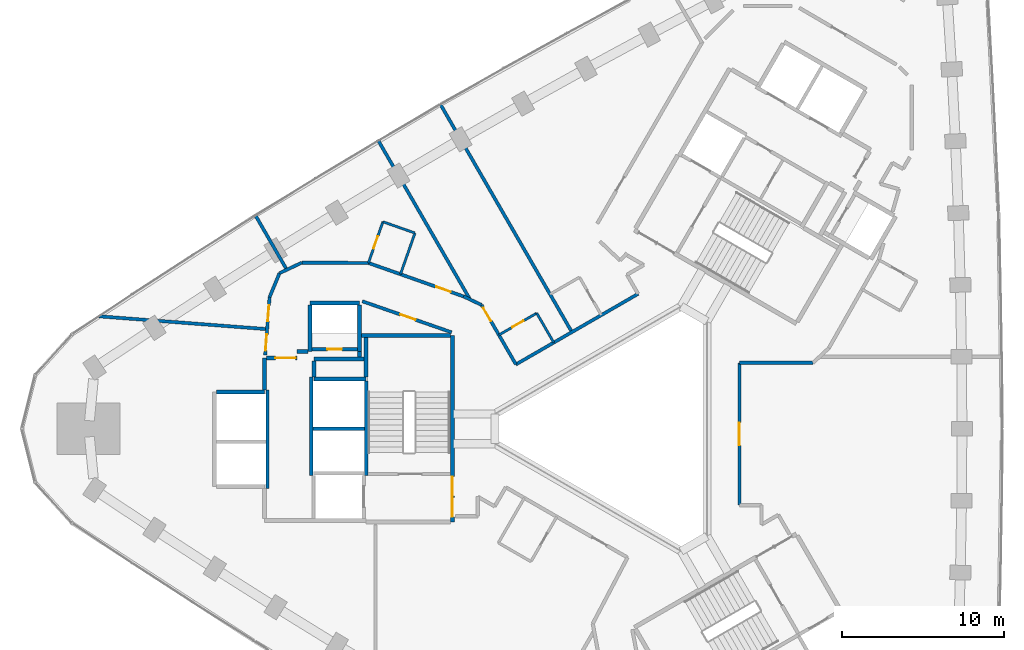
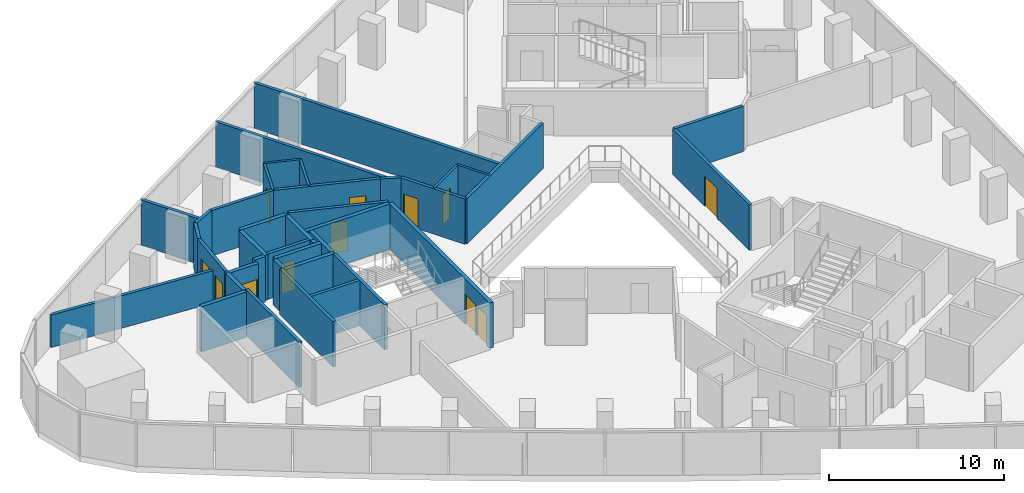
# One storey, part 9 of 12: 39 walls, 12 doors, 12 openings.
"""IFC4 building model written with IfcOpenShell, lengths in metres."""

from ifc_helpers import new_model, si_unit, direction, frame, frame_2d, origin, place, context, subcontext, project, spatial, rectangle, extrude, material, layer, layer_set, type_object, element, fill, save


model = new_model("IFC4")

# Units and contexts
model_context = context("Model", 3, precision=1e-05, world=origin(), true_north=direction((0.0, 1.0)))
body_context = subcontext(model_context, "Body", "Model", "MODEL_VIEW")
ifc_project = project(units=[si_unit("LENGTHUNIT", "METRE"), si_unit("AREAUNIT", "SQUARE_METRE"), si_unit("VOLUMEUNIT", "CUBIC_METRE"), si_unit("PLANEANGLEUNIT", "RADIAN"), si_unit("MASSUNIT", "GRAM", prefix="KILO")], contexts=[model_context])

# Site, building, storey
site_placement = place(None, origin())
site = spatial("IfcSite", under=ifc_project, at=site_placement, CompositionType="ELEMENT")
building_placement = place(site_placement, origin())
building = spatial("IfcBuilding", under=site, at=building_placement, Name="Tamra Quay Hotel Tower", CompositionType="ELEMENT")
storey_placement = place(building_placement, frame((0.0, 0.0, 104.60009765625)))
storey = spatial("IfcBuildingStorey", under=building, at=storey_placement, Name="L25", CompositionType="ELEMENT", Elevation=104.60009765625)

# Walls
ifc_material_1 = material(Name="Concrete M70", Category="concrete")
ifc_layer_1 = layer(ifc_material_1, 0.199951171875)
ifc_layer_set_1 = layer_set([ifc_layer_1], Name="Concrete M70 core wall 200")
wall_type_1 = type_object("IfcWallType", Name="Concrete M70 core wall 200", PredefinedType="SHEAR", material=ifc_layer_set_1)
wall_1_placement = place(storey_placement, frame((-16.162109375, 2.95068359375, 0.0), z_axis=(0.0, 0.0, 1.0), x_axis=(0.0, -1.0, 0.0)))
element("IfcWall", 1, at=wall_1_placement, inside=storey, type_object=wall_type_1, Name="CW2", PredefinedType="SHEAR", context=body_context, shape_type="SweptSolid", body=[
    extrude(rectangle(XDim=5.850830078125, YDim=0.199951171875, at=frame_2d((2.92529296875, 0.0))), origin(), (0.0, 0.0, 1.0), 3.1748046875),
])
for number, where, z_axis, x_axis, name in (
    (2, (-19.5625, -2.900146484375, 0.0), (0.0, 0.0, 1.0), (0.0, 1.0, 0.0), "CW2"),
    (3, (-22.26220703125, 2.400146484375, 0.0), (0.0, 0.0, 1.0), (0.0, -1.0, 0.0), "CW2"),
):
    element("IfcWall", number, at=place(storey_placement, frame(where, z_axis=z_axis, x_axis=x_axis)), inside=storey, type_object=wall_type_1, Name=name, PredefinedType="SHEAR", context=body_context, shape_type="SweptSolid", body=[
        extrude(rectangle(XDim=6.100341796875, YDim=0.199951171875, at=frame_2d((3.05029296875, 0.0))), origin(), (0.0, 0.0, 1.0), 3.1748046875),
    ])
wall_2_placement = place(storey_placement, frame((-16.26318359375, 0.0, 0.0), z_axis=(0.0, 0.0, 1.0), x_axis=(-1.0, 0.0, 0.0)))
element("IfcWall", 4, at=wall_2_placement, inside=storey, type_object=wall_type_1, Name="CW2", PredefinedType="SHEAR", context=body_context, shape_type="SweptSolid", body=[
    extrude(rectangle(XDim=3.1982421875, YDim=0.199951171875, at=frame_2d((1.59912109375, 0.0))), origin(), (0.0, 0.0, 1.0), 3.1748046875),
])

# Wall, opening, door
wall_3_placement = place(storey_placement, frame((-19.51123046875, 4.91015625, 0.0), z_axis=(0.0, 0.0, 1.0), x_axis=(1.0, 0.0, 0.0)))
wall_3 = element("IfcWall", 5, at=wall_3_placement, inside=storey, type_object=wall_type_1, Name="CW2", PredefinedType="SHEAR", context=body_context, shape_type="SweptSolid", body=[
    extrude(rectangle(XDim=2.7978515625, YDim=0.199951171875, at=frame_2d((1.39892578125, 0.0))), origin(), (0.0, 0.0, 1.0), 3.1748046875),
])
opening_1_placement = place(wall_3_placement, frame((0.948974609375, 0.0, 0.0)))
opening_1 = element("IfcOpeningElement", 6, at=opening_1_placement, cuts=wall_3, Name="Opening D1", PredefinedType="OPENING", context=body_context, shape_type="SweptSolid", body=[
    extrude(rectangle(XDim=0.89990234375, YDim=2.10009765625, at=frame_2d((0.449951171875, 1.050048828125))), frame((0.0, 0.10986328125, 0.0), z_axis=(0.0, -1.0, 0.0), x_axis=(1.0, 0.0, 0.0)), (0.0, 0.0, 1.0), 0.219970703125),
])
ifc_material_2 = material(Name="Core door D1 900x2100 LH")
door_type_1 = type_object("IfcDoorType", Name="Core door D1 900x2100 LH", OperationType="NOTDEFINED", PredefinedType="DOOR", material=ifc_material_2)
door_1_placement = place(opening_1_placement, origin())
door_1 = element("IfcDoor", 7, at=door_1_placement, inside=storey, type_object=door_type_1, Name="D1", OperationType="SINGLE_SWING_LEFT", OverallHeight=2.10009765625, OverallWidth=0.89990234375, PredefinedType="DOOR", context=body_context, shape_type="SweptSolid", body=[
    extrude(rectangle(XDim=0.89990234375, YDim=2.10009765625, at=frame_2d((0.449951171875, 1.050048828125))), frame((0.0, 0.02490234375, 0.0), z_axis=(0.0, -1.0, 0.0), x_axis=(1.0, 0.0, 0.0)), (0.0, 0.0, 1.0), 0.050048828125),
])
fill(opening_1, door_1)

# Wall, openings, doors
ifc_layer_2 = layer(ifc_material_1, 0.25)
ifc_layer_set_2 = layer_set([ifc_layer_2], Name="Concrete M70 core wall 250")
wall_type_2 = type_object("IfcWallType", Name="Concrete M70 core wall 250", PredefinedType="SHEAR", material=ifc_layer_set_2)
wall_4_placement = place(storey_placement, frame((-10.83740234375, 5.77490234375, 0.0), z_axis=(0.0, 0.0, 1.0), x_axis=(0.0, -1.0, 0.0)))
wall_4 = element("IfcWall", 8, at=wall_4_placement, inside=storey, type_object=wall_type_2, Name="CW1", PredefinedType="SHEAR", context=body_context, shape_type="SweptSolid", body=[
    extrude(rectangle(XDim=11.5498046875, YDim=0.25, at=frame_2d((5.77490234375, 0.0))), origin(), (0.0, 0.0, 1.0), 3.1748046875),
])
opening_2_placement = place(wall_4_placement, frame((10.02490234375, 0.0, 0.0)))
opening_2 = element("IfcOpeningElement", 9, at=opening_2_placement, cuts=wall_4, Name="Opening FD1", PredefinedType="OPENING", context=body_context, shape_type="SweptSolid", body=[
    extrude(rectangle(XDim=1.199951171875, YDim=2.10009765625, at=frame_2d((0.60009765625, 1.050048828125))), frame((0.0, 0.135009765625, 0.0), z_axis=(0.0, -1.0, 0.0), x_axis=(1.0, 0.0, 0.0)), (0.0, 0.0, 1.0), 0.27001953125),
])
opening_3_placement = place(wall_4_placement, frame((8.72509765625, 0.0, 0.0)))
opening_3 = element("IfcOpeningElement", 10, at=opening_3_placement, cuts=wall_4, Name="Opening FD1", PredefinedType="OPENING", context=body_context, shape_type="SweptSolid", body=[
    extrude(rectangle(XDim=1.199951171875, YDim=2.10009765625, at=frame_2d((0.60009765625, 1.050048828125))), frame((0.0, 0.135009765625, 0.0), z_axis=(0.0, -1.0, 0.0), x_axis=(1.0, 0.0, 0.0)), (0.0, 0.0, 1.0), 0.27001953125),
])
ifc_material_3 = material(Name="Core door FD1 1200x2100 LH")
door_type_2 = type_object("IfcDoorType", Name="Core door FD1 1200x2100 LH", OperationType="NOTDEFINED", PredefinedType="DOOR", material=ifc_material_3)
door_2_placement = place(opening_2_placement, origin())
door_2 = element("IfcDoor", 11, at=door_2_placement, inside=storey, type_object=door_type_2, Name="FD1", OperationType="SINGLE_SWING_LEFT", OverallHeight=2.10009765625, OverallWidth=1.199951171875, PredefinedType="DOOR", context=body_context, shape_type="SweptSolid", body=[
    extrude(rectangle(XDim=1.199951171875, YDim=2.10009765625, at=frame_2d((0.60009765625, 1.050048828125))), frame((0.0, 0.02490234375, 0.0), z_axis=(0.0, -1.0, 0.0), x_axis=(1.0, 0.0, 0.0)), (0.0, 0.0, 1.0), 0.050048828125),
])
fill(opening_2, door_2)
ifc_material_4 = material(Name="Core door FD1 1200x2100 RH")
door_type_3 = type_object("IfcDoorType", Name="Core door FD1 1200x2100 RH", OperationType="NOTDEFINED", PredefinedType="DOOR", material=ifc_material_4)
door_3_placement = place(opening_3_placement, origin())
door_3 = element("IfcDoor", 12, at=door_3_placement, inside=storey, type_object=door_type_3, Name="FD1", OperationType="SINGLE_SWING_RIGHT", OverallHeight=2.10009765625, OverallWidth=1.199951171875, PredefinedType="DOOR", context=body_context, shape_type="SweptSolid", body=[
    extrude(rectangle(XDim=1.199951171875, YDim=2.10009765625, at=frame_2d((0.60009765625, 1.050048828125))), frame((0.0, 0.02490234375, 0.0), z_axis=(0.0, -1.0, 0.0), x_axis=(1.0, 0.0, 0.0)), (0.0, 0.0, 1.0), 0.050048828125),
])
fill(opening_3, door_3)

# Walls
wall_5_placement = place(storey_placement, frame((-16.47216796875, 5.77490234375, 0.0), z_axis=(0.0, 0.0, 1.0), x_axis=(1.0, 0.0, 0.0)))
element("IfcWall", 13, at=wall_5_placement, inside=storey, type_object=wall_type_2, Name="CW1", PredefinedType="SHEAR", context=body_context, shape_type="SweptSolid", body=[
    extrude(rectangle(XDim=5.509521484375, YDim=0.25, at=frame_2d((2.7548828125, 0.0))), origin(), (0.0, 0.0, 1.0), 3.1748046875),
])
wall_6_placement = place(storey_placement, frame((-19.38720703125, 3.074951171875, 0.0), z_axis=(0.0, 0.0, 1.0), x_axis=(1.0, 0.0, 0.0)))
element("IfcWall", 14, at=wall_6_placement, inside=storey, type_object=wall_type_2, Name="CW1", PredefinedType="SHEAR", context=body_context, shape_type="SweptSolid", body=[
    extrude(rectangle(XDim=3.199951171875, YDim=0.25, at=frame_2d((1.60009765625, 0.0))), origin(), (0.0, 0.0, 1.0), 3.1748046875),
])
wall_7_placement = place(storey_placement, frame((-25.411865234375, 2.27490234375, 0.0), z_axis=(0.0, 0.0, 1.0), x_axis=(1.0, 0.0, 0.0)))
element("IfcWall", 15, at=wall_7_placement, inside=storey, type_object=wall_type_2, Name="CW1", PredefinedType="SHEAR", context=body_context, shape_type="SweptSolid", body=[
    extrude(rectangle(XDim=2.974609375, YDim=0.25, at=frame_2d((1.4873046875, 0.0))), origin(), (0.0, 0.0, 1.0), 3.1748046875),
])
wall_8_placement = place(storey_placement, frame((-19.63720703125, 7.77490234375, 0.0), z_axis=(0.0, 0.0, 1.0), x_axis=(1.0, 0.0, 0.0)))
element("IfcWall", 16, at=wall_8_placement, inside=storey, type_object=wall_type_2, Name="CW1", PredefinedType="SHEAR", context=body_context, shape_type="SweptSolid", body=[
    extrude(rectangle(XDim=3.0498046875, YDim=0.25, at=frame_2d((1.52490234375, 0.0))), origin(), (0.0, 0.0, 1.0), 3.1748046875),
])
for number, where, z_axis, x_axis, name in (
    (17, (-16.58740234375, 7.649658203125, 0.0), (0.0, 0.0, 1.0), (0.0, -1.0, 0.0), "CW1"),
    (18, (-19.63720703125, 4.784912109375, 0.0), (0.0, 0.0, 1.0), (0.0, 1.0, 0.0), "CW1"),
):
    element("IfcWall", number, at=place(storey_placement, frame(where, z_axis=z_axis, x_axis=x_axis)), inside=storey, type_object=wall_type_2, Name=name, PredefinedType="SHEAR", context=body_context, shape_type="SweptSolid", body=[
        extrude(rectangle(XDim=2.86474609375, YDim=0.25, at=frame_2d((1.432373046875, 0.0))), origin(), (0.0, 0.0, 1.0), 3.1748046875),
    ])
wall_9_placement = place(storey_placement, frame((-16.30224609375, 4.31494140625, 0.0), z_axis=(0.0, 0.0, 1.0), x_axis=(-1.0, 0.0, 0.0)))
element("IfcWall", 19, at=wall_9_placement, inside=storey, type_object=wall_type_2, Name="CW1", PredefinedType="SHEAR", context=body_context, shape_type="SweptSolid", body=[
    extrude(rectangle(XDim=3.0849609375, YDim=0.25, at=frame_2d((1.54248046875, 0.0))), origin(), (0.0, 0.0, 1.0), 3.1748046875),
])
wall_10_placement = place(storey_placement, frame((-16.187255859375, 3.200439453125, 0.0), z_axis=(0.0, 0.0, 1.0), x_axis=(0.0, 1.0, 0.0)))
element("IfcWall", 20, at=wall_10_placement, inside=storey, type_object=wall_type_2, Name="CW1", PredefinedType="SHEAR", context=body_context, shape_type="SweptSolid", body=[
    extrude(rectangle(XDim=2.44921875, YDim=0.25, at=frame_2d((1.224609375, 0.0))), origin(), (0.0, 0.0, 1.0), 3.1748046875),
])
wall_11_placement = place(storey_placement, frame((-22.437255859375, 2.400390625, 0.0), z_axis=(0.0, 0.0, 1.0), x_axis=(0.0, 1.0, 0.0)))
element("IfcWall", 21, at=wall_11_placement, inside=storey, type_object=wall_type_2, Name="CW1", PredefinedType="SHEAR", context=body_context, shape_type="SweptSolid", body=[
    extrude(rectangle(XDim=1.974609375, YDim=0.25, at=frame_2d((0.9873046875, 0.0))), origin(), (0.0, 0.0, 1.0), 3.1748046875),
])

# Wall, opening, door
wall_12_placement = place(storey_placement, frame((-22.311767578125, 4.375, 0.0), z_axis=(0.0, 0.0, 1.0), x_axis=(1.0, 0.0, 0.0)))
wall_12 = element("IfcWall", 22, at=wall_12_placement, inside=storey, type_object=wall_type_2, Name="CW1", PredefinedType="SHEAR", context=body_context, shape_type="SweptSolid", body=[
    extrude(rectangle(XDim=1.864501953125, YDim=0.25, at=frame_2d((0.93212890625, 0.0))), origin(), (0.0, 0.0, 1.0), 3.1748046875),
])
opening_4_placement = place(wall_12_placement, frame((0.53466796875, 0.0, 0.0)))
opening_4 = element("IfcOpeningElement", 23, at=opening_4_placement, cuts=wall_12, Name="Opening FD3", PredefinedType="OPENING", context=body_context, shape_type="SweptSolid", body=[
    extrude(rectangle(XDim=1.25, YDim=2.10009765625, at=frame_2d((0.625, 1.050048828125))), frame((0.0, 0.135009765625, 0.0), z_axis=(0.0, -1.0, 0.0), x_axis=(1.0, 0.0, 0.0)), (0.0, 0.0, 1.0), 0.27001953125),
])
ifc_material_5 = material(Name="Core door FD3 1250x2100 LH")
door_type_4 = type_object("IfcDoorType", Name="Core door FD3 1250x2100 LH", OperationType="NOTDEFINED", PredefinedType="DOOR", material=ifc_material_5)
door_4_placement = place(opening_4_placement, origin())
door_4 = element("IfcDoor", 24, at=door_4_placement, inside=storey, type_object=door_type_4, Name="FD3", OperationType="SINGLE_SWING_LEFT", OverallHeight=2.10009765625, OverallWidth=1.25, PredefinedType="DOOR", context=body_context, shape_type="SweptSolid", body=[
    extrude(rectangle(XDim=1.25, YDim=2.10009765625, at=frame_2d((0.625, 1.050048828125))), frame((0.0, 0.02490234375, 0.0), z_axis=(0.0, -1.0, 0.0), x_axis=(1.0, 0.0, 0.0)), (0.0, 0.0, 1.0), 0.050048828125),
])
fill(opening_4, door_4)

# Walls
wall_13_placement = place(storey_placement, frame((-19.38720703125, 4.189697265625, 0.0), z_axis=(0.0, 0.0, 1.0), x_axis=(0.0, -1.0, 0.0)))
element("IfcWall", 25, at=wall_13_placement, inside=storey, type_object=wall_type_2, Name="CW1", PredefinedType="SHEAR", context=body_context, shape_type="SweptSolid", body=[
    extrude(rectangle(XDim=0.9892578125, YDim=0.25, at=frame_2d((0.49462890625, 0.0))), origin(), (0.0, 0.0, 1.0), 3.1748046875),
])
wall_14_placement = place(storey_placement, frame((-20.447265625, 4.784912109375, 0.0), z_axis=(0.0, 0.0, 1.0), x_axis=(1.0, 0.0, 0.0)))
element("IfcWall", 26, at=wall_14_placement, inside=storey, type_object=wall_type_2, Name="CW1", PredefinedType="SHEAR", context=body_context, shape_type="SweptSolid", body=[
    extrude(rectangle(XDim=0.6845703125, YDim=0.25, at=frame_2d((0.34228515625, 0.0))), origin(), (0.0, 0.0, 1.0), 3.1748046875),
])
wall_15_placement = place(storey_placement, frame((-16.577392578125, 4.784912109375, 0.0), z_axis=(0.0, 0.0, 1.0), x_axis=(0.0, -1.0, 0.0)))
element("IfcWall", 27, at=wall_15_placement, inside=storey, type_object=wall_type_2, Name="CW1", PredefinedType="SHEAR", context=body_context, shape_type="SweptSolid", body=[
    extrude(rectangle(XDim=0.344482421875, YDim=0.25, at=frame_2d((0.17236328125, 0.0))), origin(), (0.0, 0.0, 1.0), 3.1748046875),
])

# Wall, openings, doors
ifc_material_6 = material(Name="Partition corridor wall")
ifc_layer_3 = layer(ifc_material_6, 0.199951171875)
ifc_layer_set_3 = layer_set([ifc_layer_3], Name="Partition corridor wall")
wall_type_3 = type_object("IfcWallType", Name="Partition corridor wall", PredefinedType="PARTITIONING", material=ifc_layer_set_3)
wall_16_placement = place(storey_placement, frame((-22.407470703125, 4.56005859375, 0.0), z_axis=(0.0, 0.0, 1.0), x_axis=(0.075961252686, 0.997110770221, 0.0)))
wall_16 = element("IfcWall", 28, at=wall_16_placement, inside=storey, type_object=wall_type_3, Name="W-C", PredefinedType="PARTITIONING", context=body_context, shape_type="SweptSolid", body=[
    extrude(rectangle(XDim=3.580322265625, YDim=0.199951171875, at=frame_2d((1.7900390625, 0.0))), origin(), (0.0, 0.0, 1.0), 3.1748046875),
])
opening_5_placement = place(wall_16_placement, frame((0.276123046875, 0.0, 0.0)))
opening_5 = element("IfcOpeningElement", 29, at=opening_5_placement, cuts=wall_16, Name="Opening L25-D011", PredefinedType="OPENING", context=body_context, shape_type="SweptSolid", body=[
    extrude(rectangle(XDim=1.0, YDim=2.10009765625, at=frame_2d((0.5, 1.050048828125))), frame((0.0, 0.10986328125, 0.0), z_axis=(0.0, -1.0, 0.0), x_axis=(1.0, 0.0, 0.0)), (0.0, 0.0, 1.0), 0.219970703125),
])
opening_6_placement = place(wall_16_placement, frame((2.08447265625, 0.0, 0.0)))
opening_6 = element("IfcOpeningElement", 30, at=opening_6_placement, cuts=wall_16, Name="Opening L25-D012", PredefinedType="OPENING", context=body_context, shape_type="SweptSolid", body=[
    extrude(rectangle(XDim=1.0, YDim=2.10009765625, at=frame_2d((0.5, 1.050048828125))), frame((0.0, 0.10986328125, 0.0), z_axis=(0.0, -1.0, 0.0), x_axis=(1.0, 0.0, 0.0)), (0.0, 0.0, 1.0), 0.219970703125),
])
ifc_material_7 = material(Name="Door guest room 1000x2100")
door_type_5 = type_object("IfcDoorType", Name="Door guest room 1000x2100", OperationType="NOTDEFINED", PredefinedType="DOOR", material=ifc_material_7)
door_5_placement = place(opening_5_placement, origin())
door_5 = element("IfcDoor", 31, at=door_5_placement, inside=storey, type_object=door_type_5, Name="L25-D011", OperationType="SINGLE_SWING_LEFT", OverallHeight=2.10009765625, OverallWidth=1.0, PredefinedType="DOOR", context=body_context, shape_type="SweptSolid", body=[
    extrude(rectangle(XDim=1.0, YDim=2.10009765625, at=frame_2d((0.5, 1.050048828125))), frame((0.0, 0.02490234375, 0.0), z_axis=(0.0, -1.0, 0.0), x_axis=(1.0, 0.0, 0.0)), (0.0, 0.0, 1.0), 0.050048828125),
])
fill(opening_5, door_5)
door_6_placement = place(opening_6_placement, origin())
door_6 = element("IfcDoor", 32, at=door_6_placement, inside=storey, type_object=door_type_5, Name="L25-D012", OperationType="SINGLE_SWING_LEFT", OverallHeight=2.10009765625, OverallWidth=1.0, PredefinedType="DOOR", context=body_context, shape_type="SweptSolid", body=[
    extrude(rectangle(XDim=1.0, YDim=2.10009765625, at=frame_2d((0.5, 1.050048828125))), frame((0.0, 0.02490234375, 0.0), z_axis=(0.0, -1.0, 0.0), x_axis=(1.0, 0.0, 0.0)), (0.0, 0.0, 1.0), 0.050048828125),
])
fill(opening_6, door_6)

# Walls
wall_17_placement = place(storey_placement, frame((-22.135009765625, 8.134033203125, 0.0), z_axis=(0.0, 0.0, 1.0), x_axis=(0.383208453534, 0.923661886807, 0.0)))
element("IfcWall", 33, at=wall_17_placement, inside=storey, type_object=wall_type_3, Name="W-C", PredefinedType="PARTITIONING", context=body_context, shape_type="SweptSolid", body=[
    extrude(rectangle(XDim=1.602294921875, YDim=0.199951171875, at=frame_2d((0.80126953125, 0.0))), origin(), (0.0, 0.0, 1.0), 3.1748046875),
])
wall_18_placement = place(storey_placement, frame((-21.521240234375, 9.614501953125, 0.0), z_axis=(0.0, 0.0, 1.0), x_axis=(0.904236611454, 0.427031790979, 0.0)))
element("IfcWall", 34, at=wall_18_placement, inside=storey, type_object=wall_type_3, Name="W-C", PredefinedType="PARTITIONING", context=body_context, shape_type="SweptSolid", body=[
    extrude(rectangle(XDim=1.52294921875, YDim=0.199951171875, at=frame_2d((0.761474609375, 0.0))), origin(), (0.0, 0.0, 1.0), 3.1748046875),
])
wall_19_placement = place(storey_placement, frame((-20.14306640625, 10.26611328125, 0.0), z_axis=(0.0, 0.0, 1.0), x_axis=(0.999989297417, -0.004626559416, 0.0)))
element("IfcWall", 35, at=wall_19_placement, inside=storey, type_object=wall_type_3, Name="W-C", PredefinedType="PARTITIONING", context=body_context, shape_type="SweptSolid", body=[
    extrude(rectangle(XDim=4.115966796875, YDim=0.199951171875, at=frame_2d((2.05810546875, 0.0))), origin(), (0.0, 0.0, 1.0), 3.1748046875),
])

# Wall, opening, door
wall_20_placement = place(storey_placement, frame((-16.40234375, 7.879150390625, 0.0), z_axis=(0.0, 0.0, 1.0), x_axis=(0.94449961557, -0.328512520596, 0.0)))
wall_20 = element("IfcWall", 36, at=wall_20_placement, inside=storey, type_object=wall_type_3, Name="W-C", PredefinedType="PARTITIONING", context=body_context, shape_type="SweptSolid", body=[
    extrude(rectangle(XDim=5.842041015625, YDim=0.199951171875, at=frame_2d((2.9208984375, 0.0))), origin(), (0.0, 0.0, 1.0), 3.1748046875),
])
opening_7_placement = place(wall_20_placement, frame((2.47900390625, 0.0, 0.0)))
opening_7 = element("IfcOpeningElement", 37, at=opening_7_placement, cuts=wall_20, Name="Opening L25-D008", PredefinedType="OPENING", context=body_context, shape_type="SweptSolid", body=[
    extrude(rectangle(XDim=1.0, YDim=2.10009765625, at=frame_2d((0.5, 1.050048828125))), frame((0.0, 0.10986328125, 0.0), z_axis=(0.0, -1.0, 0.0), x_axis=(1.0, 0.0, 0.0)), (0.0, 0.0, 1.0), 0.219970703125),
])
door_7_placement = place(opening_7_placement, frame((1.0, 0.0, 0.0), z_axis=(0.0, 0.0, 1.0), x_axis=(-1.0, 0.0, 0.0)))
door_7 = element("IfcDoor", 38, at=door_7_placement, inside=storey, type_object=door_type_5, Name="L25-D008", OperationType="SINGLE_SWING_LEFT", OverallHeight=2.10009765625, OverallWidth=1.0, PredefinedType="DOOR", context=body_context, shape_type="SweptSolid", body=[
    extrude(rectangle(XDim=1.0, YDim=2.10009765625, at=frame_2d((0.5, 1.050048828125))), frame((0.0, 0.02490234375, 0.0), z_axis=(0.0, -1.0, 0.0), x_axis=(1.0, 0.0, 0.0)), (0.0, 0.0, 1.0), 0.050048828125),
])
fill(opening_7, door_7)

wall_21_placement = place(storey_placement, frame((-16.02587890625, 10.247314453125, 0.0), z_axis=(0.0, 0.0, 1.0), x_axis=(0.94329059922, -0.331968139168, 0.0)))
wall_21 = element("IfcWall", 39, at=wall_21_placement, inside=storey, type_object=wall_type_3, Name="W-C", PredefinedType="PARTITIONING", context=body_context, shape_type="SweptSolid", body=[
    extrude(rectangle(XDim=6.236572265625, YDim=0.199951171875, at=frame_2d((3.1181640625, 0.0))), origin(), (0.0, 0.0, 1.0), 3.1748046875),
])
opening_8_placement = place(wall_21_placement, frame((4.438232421875, 0.0, 0.0)))
opening_8 = element("IfcOpeningElement", 40, at=opening_8_placement, cuts=wall_21, Name="Opening L25-D009", PredefinedType="OPENING", context=body_context, shape_type="SweptSolid", body=[
    extrude(rectangle(XDim=0.949951171875, YDim=2.10009765625, at=frame_2d((0.47509765625, 1.050048828125))), frame((0.0, 0.10986328125, 0.0), z_axis=(0.0, -1.0, 0.0), x_axis=(1.0, 0.0, 0.0)), (0.0, 0.0, 1.0), 0.219970703125),
])
ifc_material_8 = material(Name="Door guest room 950x2100")
door_type_6 = type_object("IfcDoorType", Name="Door guest room 950x2100", OperationType="NOTDEFINED", PredefinedType="DOOR", material=ifc_material_8)
door_8_placement = place(opening_8_placement, origin())
door_8 = element("IfcDoor", 41, at=door_8_placement, inside=storey, type_object=door_type_6, Name="L25-D009", OperationType="SINGLE_SWING_LEFT", OverallHeight=2.10009765625, OverallWidth=0.949951171875, PredefinedType="DOOR", context=body_context, shape_type="SweptSolid", body=[
    extrude(rectangle(XDim=0.949951171875, YDim=2.10009765625, at=frame_2d((0.47509765625, 1.050048828125))), frame((0.0, 0.02490234375, 0.0), z_axis=(0.0, -1.0, 0.0), x_axis=(1.0, 0.0, 0.0)), (0.0, 0.0, 1.0), 0.050048828125),
])
fill(opening_8, door_8)

# Wall
wall_22_placement = place(storey_placement, frame((-10.14306640625, 8.1767578125, 0.0), z_axis=(0.0, 0.0, 1.0), x_axis=(0.904109978004, -0.427299833458, 0.0)))
element("IfcWall", 42, at=wall_22_placement, inside=storey, type_object=wall_type_3, Name="W-C", PredefinedType="PARTITIONING", context=body_context, shape_type="SweptSolid", body=[
    extrude(rectangle(XDim=1.227783203125, YDim=0.199951171875, at=frame_2d((0.61376953125, 0.0))), origin(), (0.0, 0.0, 1.0), 3.1748046875),
])

# Wall, opening, door
wall_23_placement = place(storey_placement, frame((-9.032958984375, 7.652099609375, 0.0), z_axis=(0.0, 0.0, 1.0), x_axis=(0.500228714158, -0.865893315329, 0.0)))
wall_23 = element("IfcWall", 43, at=wall_23_placement, inside=storey, type_object=wall_type_3, Name="W-C", PredefinedType="PARTITIONING", context=body_context, shape_type="SweptSolid", body=[
    extrude(rectangle(XDim=4.24365234375, YDim=0.199951171875, at=frame_2d((2.121826171875, 0.0))), origin(), (0.0, 0.0, 1.0), 3.1748046875),
])
opening_9_placement = place(wall_23_placement, frame((0.199951171875, 0.0, 0.0)))
opening_9 = element("IfcOpeningElement", 44, at=opening_9_placement, cuts=wall_23, Name="Opening L25-D006", PredefinedType="OPENING", context=body_context, shape_type="SweptSolid", body=[
    extrude(rectangle(XDim=0.949951171875, YDim=2.10009765625, at=frame_2d((0.47509765625, 1.050048828125))), frame((0.0, 0.10986328125, 0.0), z_axis=(0.0, -1.0, 0.0), x_axis=(1.0, 0.0, 0.0)), (0.0, 0.0, 1.0), 0.219970703125),
])
door_9_placement = place(opening_9_placement, origin())
door_9 = element("IfcDoor", 45, at=door_9_placement, inside=storey, type_object=door_type_6, Name="L25-D006", OperationType="SINGLE_SWING_LEFT", OverallHeight=2.10009765625, OverallWidth=0.949951171875, PredefinedType="DOOR", context=body_context, shape_type="SweptSolid", body=[
    extrude(rectangle(XDim=0.949951171875, YDim=2.10009765625, at=frame_2d((0.47509765625, 1.050048828125))), frame((0.0, 0.02490234375, 0.0), z_axis=(0.0, -1.0, 0.0), x_axis=(1.0, 0.0, 0.0)), (0.0, 0.0, 1.0), 0.050048828125),
])
fill(opening_9, door_9)

# Wall
wall_24_placement = place(storey_placement, frame((-6.91015625, 3.975341796875, 0.0), z_axis=(0.0, 0.0, 1.0), x_axis=(0.86591925187, 0.500183815454, 0.0)))
element("IfcWall", 46, at=wall_24_placement, inside=storey, type_object=wall_type_3, Name="W-C", PredefinedType="PARTITIONING", context=body_context, shape_type="SweptSolid", body=[
    extrude(rectangle(XDim=8.718017578125, YDim=0.199951171875, at=frame_2d((4.35888671875, 0.0))), origin(), (0.0, 0.0, 1.0), 3.1748046875),
])

# Wall, opening, door
wall_25_placement = place(storey_placement, frame((6.89990234375, -4.720947265625, 0.0), z_axis=(0.0, 0.0, 1.0), x_axis=(0.0, 1.0, 0.0)))
wall_25 = element("IfcWall", 47, at=wall_25_placement, inside=storey, type_object=wall_type_3, Name="W-C", PredefinedType="PARTITIONING", context=body_context, shape_type="SweptSolid", body=[
    extrude(rectangle(XDim=8.798828125, YDim=0.199951171875, at=frame_2d((4.3994140625, 0.0))), origin(), (0.0, 0.0, 1.0), 3.1748046875),
])
opening_10_placement = place(wall_25_placement, frame((3.699462890625, 0.0, 0.0)))
opening_10 = element("IfcOpeningElement", 48, at=opening_10_placement, cuts=wall_25, Name="Opening L25-D001", PredefinedType="OPENING", context=body_context, shape_type="SweptSolid", body=[
    extrude(rectangle(XDim=1.39990234375, YDim=2.10009765625, at=frame_2d((0.699951171875, 1.050048828125))), frame((0.0, 0.10986328125, 0.0), z_axis=(0.0, -1.0, 0.0), x_axis=(1.0, 0.0, 0.0)), (0.0, 0.0, 1.0), 0.219970703125),
])
ifc_material_9 = material(Name="Door double leaf 1400x2100")
door_type_7 = type_object("IfcDoorType", Name="Door double leaf 1400x2100", OperationType="DOUBLE_DOOR_SINGLE_SWING", PredefinedType="DOOR", material=ifc_material_9)
door_10_placement = place(opening_10_placement, frame((1.39990234375, 0.0, 0.0), z_axis=(0.0, 0.0, 1.0), x_axis=(-1.0, 0.0, 0.0)))
door_10 = element("IfcDoor", 49, at=door_10_placement, inside=storey, type_object=door_type_7, Name="L25-D001", OperationType="DOUBLE_DOOR_SINGLE_SWING", OverallHeight=2.10009765625, OverallWidth=1.39990234375, PredefinedType="DOOR", context=body_context, shape_type="SweptSolid", body=[
    extrude(rectangle(XDim=1.39990234375, YDim=2.10009765625, at=frame_2d((0.699951171875, 1.050048828125))), frame((0.0, 0.02490234375, 0.0), z_axis=(0.0, -1.0, 0.0), x_axis=(1.0, 0.0, 0.0)), (0.0, 0.0, 1.0), 0.050048828125),
])
fill(opening_10, door_10)

# Wall
wall_26_placement = place(storey_placement, frame((6.89990234375, 4.077880859375, 0.0), z_axis=(0.0, 0.0, 1.0), x_axis=(1.0, 0.0, 0.0)))
element("IfcWall", 50, at=wall_26_placement, inside=storey, type_object=wall_type_3, Name="W-C", PredefinedType="PARTITIONING", context=body_context, shape_type="SweptSolid", body=[
    extrude(rectangle(XDim=4.55810546875, YDim=0.199951171875, at=frame_2d((2.279052734375, 0.0))), origin(), (0.0, 0.0, 1.0), 3.1748046875),
])

# Wall, opening, door
ifc_material_10 = material(Name="Partition en-suite wall")
ifc_layer_4 = layer(ifc_material_10, 0.14990234375)
ifc_layer_set_4 = layer_set([ifc_layer_4], Name="Partition en-suite wall")
wall_type_4 = type_object("IfcWallType", Name="Partition en-suite wall", PredefinedType="PARTITIONING", material=ifc_layer_set_4)
wall_27_placement = place(storey_placement, frame((-16.02587890625, 10.2470703125, 0.0), z_axis=(0.0, 0.0, 1.0), x_axis=(0.331801780804, 0.943349128507, 0.0)))
wall_27 = element("IfcWall", 51, at=wall_27_placement, inside=storey, type_object=wall_type_4, Name="W-E", PredefinedType="PARTITIONING", context=body_context, shape_type="SweptSolid", body=[
    extrude(rectangle(XDim=2.69677734375, YDim=0.14990234375, at=frame_2d((1.348388671875, 0.0))), origin(), (0.0, 0.0, 1.0), 3.1748046875),
])
opening_11_placement = place(wall_27_placement, frame((0.94921875, 0.0, 0.0)))
opening_11 = element("IfcOpeningElement", 52, at=opening_11_placement, cuts=wall_27, Name="Opening L25-D010", PredefinedType="OPENING", context=body_context, shape_type="SweptSolid", body=[
    extrude(rectangle(XDim=0.800048828125, YDim=2.10009765625, at=frame_2d((0.39990234375, 1.050048828125))), frame((0.0, 0.0849609375, 0.0), z_axis=(0.0, -1.0, 0.0), x_axis=(1.0, 0.0, 0.0)), (0.0, 0.0, 1.0), 0.169921875),
])
ifc_material_11 = material(Name="Door en-suite 800x2100")
door_type_8 = type_object("IfcDoorType", Name="Door en-suite 800x2100", OperationType="NOTDEFINED", PredefinedType="DOOR", material=ifc_material_11)
door_11_placement = place(opening_11_placement, origin())
door_11 = element("IfcDoor", 53, at=door_11_placement, inside=storey, type_object=door_type_8, Name="L25-D010", OperationType="SINGLE_SWING_LEFT", OverallHeight=2.10009765625, OverallWidth=0.800048828125, PredefinedType="DOOR", context=body_context, shape_type="SweptSolid", body=[
    extrude(rectangle(XDim=0.800048828125, YDim=2.10009765625, at=frame_2d((0.39990234375, 1.050048828125))), frame((0.0, 0.02490234375, 0.0), z_axis=(0.0, -1.0, 0.0), x_axis=(1.0, 0.0, 0.0)), (0.0, 0.0, 1.0), 0.050048828125),
])
fill(opening_11, door_11)

# Walls
wall_28_placement = place(storey_placement, frame((-15.1279296875, 12.7919921875, 0.0), z_axis=(0.0, 0.0, 1.0), x_axis=(0.943396116654, -0.331668158078, 0.0)))
element("IfcWall", 54, at=wall_28_placement, inside=storey, type_object=wall_type_4, Name="W-E", PredefinedType="PARTITIONING", context=body_context, shape_type="SweptSolid", body=[
    extrude(rectangle(XDim=2.095703125, YDim=0.14990234375, at=frame_2d((1.0478515625, 0.0))), origin(), (0.0, 0.0, 1.0), 3.1748046875),
])
wall_29_placement = place(storey_placement, frame((-14.044921875, 9.550048828125, 0.0), z_axis=(0.0, 0.0, 1.0), x_axis=(0.331882342773, 0.943320788786, 0.0)))
element("IfcWall", 55, at=wall_29_placement, inside=storey, type_object=wall_type_4, Name="W-E", PredefinedType="PARTITIONING", context=body_context, shape_type="SweptSolid", body=[
    extrude(rectangle(XDim=2.69677734375, YDim=0.14990234375, at=frame_2d((1.348388671875, 0.0))), origin(), (0.0, 0.0, 1.0), 3.1748046875),
])

# Wall, opening, door
wall_30_placement = place(storey_placement, frame((-7.9609375, 5.7958984375, 0.0), z_axis=(0.0, 0.0, 1.0), x_axis=(0.865974735705, 0.50008774942, 0.0)))
wall_30 = element("IfcWall", 56, at=wall_30_placement, inside=storey, type_object=wall_type_4, Name="W-E", PredefinedType="PARTITIONING", context=body_context, shape_type="SweptSolid", body=[
    extrude(rectangle(XDim=2.69970703125, YDim=0.14990234375, at=frame_2d((1.349853515625, 0.0))), origin(), (0.0, 0.0, 1.0), 3.1748046875),
])
opening_12_placement = place(wall_30_placement, frame((0.94970703125, 0.0, 0.0)))
opening_12 = element("IfcOpeningElement", 57, at=opening_12_placement, cuts=wall_30, Name="Opening L25-D007", PredefinedType="OPENING", context=body_context, shape_type="SweptSolid", body=[
    extrude(rectangle(XDim=0.800048828125, YDim=2.10009765625, at=frame_2d((0.39990234375, 1.050048828125))), frame((0.0, 0.0849609375, 0.0), z_axis=(0.0, -1.0, 0.0), x_axis=(1.0, 0.0, 0.0)), (0.0, 0.0, 1.0), 0.169921875),
])
door_12_placement = place(opening_12_placement, origin())
door_12 = element("IfcDoor", 58, at=door_12_placement, inside=storey, type_object=door_type_8, Name="L25-D007", OperationType="SINGLE_SWING_LEFT", OverallHeight=2.10009765625, OverallWidth=0.800048828125, PredefinedType="DOOR", context=body_context, shape_type="SweptSolid", body=[
    extrude(rectangle(XDim=0.800048828125, YDim=2.10009765625, at=frame_2d((0.39990234375, 1.050048828125))), frame((0.0, 0.02490234375, 0.0), z_axis=(0.0, -1.0, 0.0), x_axis=(1.0, 0.0, 0.0)), (0.0, 0.0, 1.0), 0.050048828125),
])
fill(opening_12, door_12)

# Walls
wall_31_placement = place(storey_placement, frame((-5.623046875, 7.14599609375, 0.0), z_axis=(0.0, 0.0, 1.0), x_axis=(0.499927044236, -0.866067520717, 0.0)))
element("IfcWall", 59, at=wall_31_placement, inside=storey, type_object=wall_type_4, Name="W-E", PredefinedType="PARTITIONING", context=body_context, shape_type="SweptSolid", body=[
    extrude(rectangle(XDim=2.100341796875, YDim=0.14990234375, at=frame_2d((1.05029296875, 0.0))), origin(), (0.0, 0.0, 1.0), 3.1748046875),
])
ifc_material_12 = material(Name="Partition party wall")
ifc_layer_5 = layer(ifc_material_12, 0.199951171875)
ifc_layer_set_5 = layer_set([ifc_layer_5], Name="Partition party wall")
wall_type_5 = type_object("IfcWallType", Name="Partition party wall", PredefinedType="PARTITIONING", material=ifc_layer_set_5)
wall_32_placement = place(storey_placement, frame((-32.663330078125, 6.948486328125, 0.0), z_axis=(0.0, 0.0, 1.0), x_axis=(0.997096152269, -0.076152893115, 0.0)))
element("IfcWall", 60, at=wall_32_placement, inside=storey, type_object=wall_type_5, Name="W-P", PredefinedType="PARTITIONING", context=body_context, shape_type="SweptSolid", body=[
    extrude(rectangle(XDim=10.406494140625, YDim=0.199951171875, at=frame_2d((5.203125, 0.0))), origin(), (0.0, 0.0, 1.0), 2.27490234375),
])
wall_33_placement = place(storey_placement, frame((-23.00146484375, 13.177001953125, 0.0), z_axis=(0.0, 0.0, 1.0), x_axis=(0.499706048473, -0.866195050274, 0.0)))
element("IfcWall", 61, at=wall_33_placement, inside=storey, type_object=wall_type_5, Name="W-P", PredefinedType="PARTITIONING", context=body_context, shape_type="SweptSolid", body=[
    extrude(rectangle(XDim=3.864990234375, YDim=0.199951171875, at=frame_2d((1.9326171875, 0.0))), origin(), (0.0, 0.0, 1.0), 3.1748046875),
])
wall_34_placement = place(storey_placement, frame((-15.40673828125, 17.795166015625, 0.0), z_axis=(0.0, 0.0, 1.0), x_axis=(0.500045913515, -0.865998893981, 0.0)))
element("IfcWall", 62, at=wall_34_placement, inside=storey, type_object=wall_type_5, Name="W-P", PredefinedType="PARTITIONING", context=body_context, shape_type="SweptSolid", body=[
    extrude(rectangle(XDim=11.32470703125, YDim=0.199951171875, at=frame_2d((5.662353515625, 0.0))), origin(), (0.0, 0.0, 1.0), 3.1748046875),
])
wall_35_placement = place(storey_placement, frame((-11.569580078125, 20.039794921875, 0.0), z_axis=(0.0, 0.0, 1.0), x_axis=(0.499950196318, -0.866054156045, 0.0)))
element("IfcWall", 63, at=wall_35_placement, inside=storey, type_object=wall_type_5, Name="W-P", PredefinedType="PARTITIONING", context=body_context, shape_type="SweptSolid", body=[
    extrude(rectangle(XDim=16.239501953125, YDim=0.199951171875, at=frame_2d((8.11962890625, 0.0))), origin(), (0.0, 0.0, 1.0), 3.1748046875),
])

save(model, "model.ifc")
